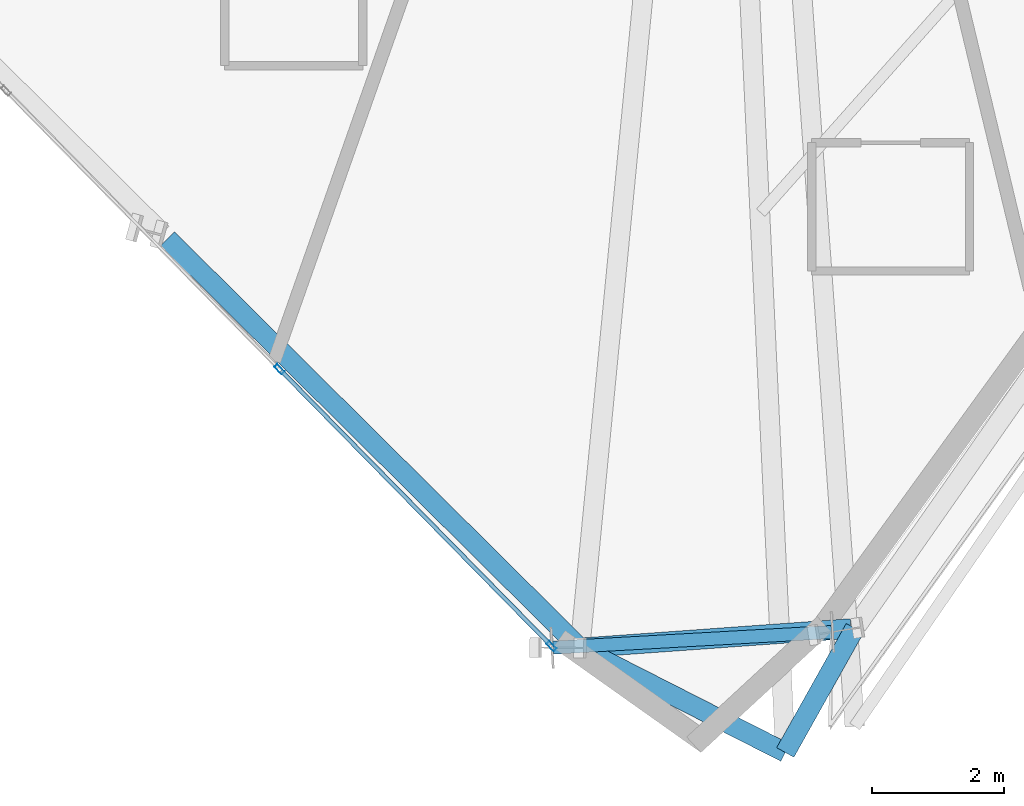
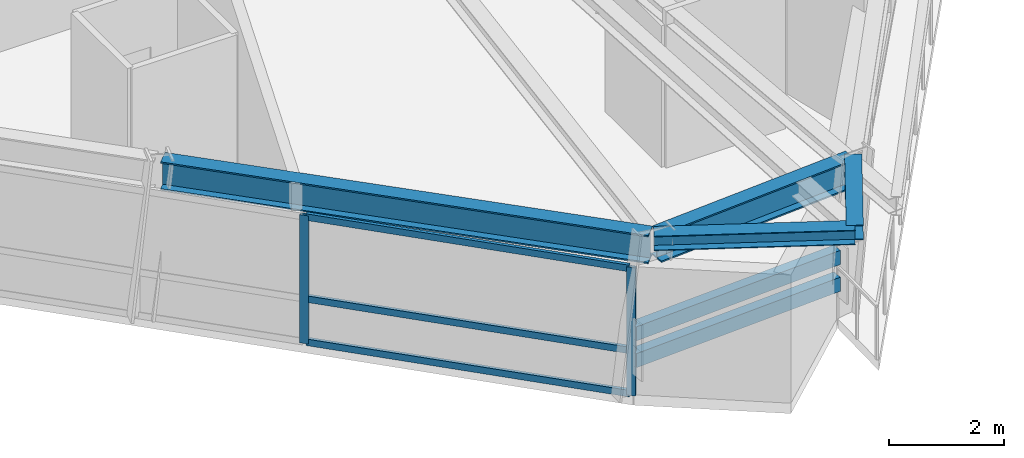
# One storey, part 3 of 14: 7 members, 4 beams, 1 element without a shape of its own.
"""IFC4 building model written with IfcOpenShell, lengths in metres."""

from ifc_helpers import new_model, si_unit, direction, frame, origin, origin_2d, place, context, subcontext, project, spatial, hollow_rectangle, i_section, extrude, source, transform, mapped, material, material_profile, profile_set, type_object, element, aggregate, save


model = new_model("IFC4")

# Units and contexts
model_context = context("Model", 3, precision=1e-05, world=origin(), true_north=direction((0.0, 1.0)))
body_context = subcontext(model_context, "Body", "Model", "MODEL_VIEW")
ifc_project = project(units=[si_unit("LENGTHUNIT", "METRE"), si_unit("AREAUNIT", "SQUARE_METRE"), si_unit("VOLUMEUNIT", "CUBIC_METRE"), si_unit("PLANEANGLEUNIT", "RADIAN"), si_unit("MASSUNIT", "GRAM", prefix="KILO")], contexts=[model_context])

# Site, building, storey
site_placement = place(None, origin())
site = spatial("IfcSite", under=ifc_project, at=site_placement, CompositionType="ELEMENT")
building_placement = place(site_placement, origin())
building = spatial("IfcBuilding", under=site, at=building_placement, Name="Olszyna Solenne Hotel", CompositionType="ELEMENT")
storey_placement = place(building_placement, frame((0.0, 0.0, 185.64990234375)))
storey = spatial("IfcBuildingStorey", under=building, at=storey_placement, Name="L49", CompositionType="ELEMENT", Elevation=185.64990234375)

# Beams
ifc_material_1 = material(Name="Steel S355J2", Category="steel")
ifc_material_profile_1 = material_profile(ifc_material_1, i_section(OverallWidth=0.300048828125, OverallDepth=0.60009765625, WebThickness=0.015380859375, FlangeThickness=0.030029296875, at=origin_2d()), Name="HEB 600", Category="load-bearing")
ifc_profile_set_1 = profile_set([ifc_material_profile_1], Name="Steel S355J2")
beam_type_1 = type_object("IfcBeamType", Name="BM-S2", PredefinedType="BEAM", material=ifc_profile_set_1)
shared_shape_1 = source(origin(), body_context, "Body", "SweptSolid", [
    extrude(i_section(OverallWidth=0.300048828125, OverallDepth=0.60009765625, WebThickness=0.015380859375, FlangeThickness=0.030029296875, at=origin_2d()), origin(), (0.0, 0.0, 1.0), 8.770751953125),
])
beam_1_placement = place(storey_placement, frame((29.386962890625, 8.608154296875, 3.030029296875), z_axis=(0.709898754464, -0.704303740165, 0.0), x_axis=(0.704303740165, 0.709898754464, 0.0)))
element("IfcBeam", 1, at=beam_1_placement, inside=storey, type_object=beam_type_1, Name="Perimeter spandrel beam BM-S2 B-L49-1459", PredefinedType="BEAM", context=body_context, shape_type="MappedRepresentation", body=[
    mapped(shared_shape_1, transform((0.0, 0.0, 0.0), x_axis=(1.0, 0.0, 0.0), y_axis=(0.0, 1.0, 0.0), z_axis=(0.0, 0.0, 1.0), scale=1.0)),
])
shared_shape_2 = source(origin(), body_context, "Body", "SweptSolid", [
    extrude(i_section(OverallWidth=0.300048828125, OverallDepth=0.60009765625, WebThickness=0.015380859375, FlangeThickness=0.030029296875, at=origin_2d()), origin(), (0.0, 0.0, 1.0), 4.06884765625),
])
beam_2_placement = place(storey_placement, frame((35.7158203125, 2.392822265625, 3.030029296875), z_axis=(0.997443142144, 0.07146452399, 0.0), x_axis=(-0.07146452399, 0.997443142144, 0.0)))
element("IfcBeam", 2, at=beam_2_placement, inside=storey, type_object=beam_type_1, Name="Perimeter spandrel beam BM-S2 B-L49-1460", PredefinedType="BEAM", context=body_context, shape_type="MappedRepresentation", body=[
    mapped(shared_shape_2, transform((0.0, 0.0, 0.0), x_axis=(1.0, 0.0, 0.0), y_axis=(0.0, 1.0, 0.0), z_axis=(0.0, 0.0, 1.0), scale=1.0)),
])
ifc_material_profile_2 = material_profile(ifc_material_1, i_section(OverallWidth=0.300048828125, OverallDepth=0.31005859375, WebThickness=0.009033203125, FlangeThickness=0.015380859375, at=origin_2d()), Name="HEA 320", Category="load-bearing")
ifc_profile_set_2 = profile_set([ifc_material_profile_2], Name="Steel S355J2")
beam_type_2 = type_object("IfcBeamType", Name="BM-G3", PredefinedType="BEAM", material=ifc_profile_set_2)
shared_shape_3 = source(origin(), body_context, "Body", "SweptSolid", [
    extrude(i_section(OverallWidth=0.300048828125, OverallDepth=0.31005859375, WebThickness=0.009033203125, FlangeThickness=0.015380859375, at=origin_2d()), origin(), (0.0, 0.0, 1.0), 3.501708984375),
])
beam_3_placement = place(storey_placement, frame((35.656005859375, 2.388427734375, 3.175048828125), z_axis=(0.891211285697, -0.453588408413, 0.0), x_axis=(0.453588408413, 0.891211285697, 0.0)))
element("IfcBeam", 3, at=beam_3_placement, inside=storey, type_object=beam_type_2, Name="Prism side edge beam BM-G3 B-L49-1473", PredefinedType="BEAM", context=body_context, shape_type="MappedRepresentation", body=[
    mapped(shared_shape_3, transform((0.0, 0.0, 0.0), x_axis=(1.0, 0.0, 0.0), y_axis=(0.0, 1.0, 0.0), z_axis=(0.0, 0.0, 1.0), scale=1.0)),
])
shared_shape_4 = source(origin(), body_context, "Body", "SweptSolid", [
    extrude(i_section(OverallWidth=0.300048828125, OverallDepth=0.31005859375, WebThickness=0.009033203125, FlangeThickness=0.015380859375, at=origin_2d()), origin(), (0.0, 0.0, 1.0), 2.163818359375),
])
beam_4_placement = place(storey_placement, frame((39.833984375, 2.68798828125, 3.175048828125), z_axis=(-0.488562138702, -0.872529103599, 0.0), x_axis=(0.872529103599, -0.488562138702, 0.0)))
element("IfcBeam", 4, at=beam_4_placement, inside=storey, type_object=beam_type_2, Name="Prism side edge beam BM-G3 B-L49-1474", PredefinedType="BEAM", context=body_context, shape_type="MappedRepresentation", body=[
    mapped(shared_shape_4, transform((0.0, 0.0, 0.0), x_axis=(1.0, 0.0, 0.0), y_axis=(0.0, 1.0, 0.0), z_axis=(0.0, 0.0, 1.0), scale=1.0)),
])

# Members
ifc_material_profile_3 = material_profile(ifc_material_1, hollow_rectangle(XDim=0.199951171875, YDim=0.300048828125, WallThickness=0.01611328125, at=origin_2d()), Name="RHS 300x200x16", Category="load-bearing")
ifc_profile_set_3 = profile_set([ifc_material_profile_3], Name="Steel S355J2")
member_type_1 = type_object("IfcMemberType", Name="CH-PR1", PredefinedType="CHORD", material=ifc_profile_set_3)
shared_shape_5 = source(origin(), body_context, "Body", "SweptSolid", [
    extrude(hollow_rectangle(XDim=0.199951171875, YDim=0.300048828125, WallThickness=0.01611328125, at=origin_2d()), origin(), (0.0, 0.0, 1.0), 4.239990234375),
])
for number, where, z_axis, x_axis, name in (
    (5, (35.246826171875, 2.393310546875, 1.35009765625), (0.998439019522, 0.055852701784, 0.0), (-0.055852701784, 0.998439019522, 0.0), "Glass-prism tie chord CH-PR1 M-L49-PR1"),
    (6, (35.246826171875, 2.393310546875, 0.780029296875), (0.998439019522, 0.055852701784, 0.0), (-0.055852701784, 0.998439019522, 0.0), "Glass-prism tie chord CH-PR1 M-L49-PR2"),
):
    element("IfcMember", number, at=place(storey_placement, frame(where, z_axis=z_axis, x_axis=x_axis)), inside=storey, type_object=member_type_1, Name=name, PredefinedType="CHORD", context=body_context, shape_type="MappedRepresentation", body=[
        mapped(shared_shape_5, transform((0.0, 0.0, 0.0), x_axis=(1.0, 0.0, 0.0), y_axis=(0.0, 1.0, 0.0), z_axis=(0.0, 0.0, 1.0), scale=1.0)),
    ])

# Curtain wall, members
ifc_material_2 = material(Name="Anodised bronze aluminium", Category="aluminium")
curtain_wall_type = type_object("IfcCurtainWallType", Name="CW-SYS-4", PredefinedType="NOTDEFINED", material=ifc_material_2)
curtain_wall_placement = place(storey_placement, origin())
curtain_wall = element("IfcCurtainWall", 7, at=curtain_wall_placement, inside=storey, type_object=curtain_wall_type, Name="Unitised curtain wall CW-SYS-4 CW-L49-01", PredefinedType="NOTDEFINED")
ifc_material_profile_4 = material_profile(ifc_material_2, hollow_rectangle(XDim=0.06494140625, YDim=0.159912109375, WallThickness=0.00390625, at=origin_2d()), Name="MULL 160x65x4", Category="load-bearing")
ifc_profile_set_4 = profile_set([ifc_material_profile_4], Name="Anodised bronze aluminium")
member_type_2 = type_object("IfcMemberType", Name="CW-M3", PredefinedType="MULLION", material=ifc_profile_set_4)
shared_shape_6 = source(origin(), body_context, "Body", "SweptSolid", [
    extrude(hollow_rectangle(XDim=0.06494140625, YDim=0.159912109375, WallThickness=0.00390625, at=origin_2d()), origin(), (0.0, 0.0, 1.0), 2.72216796875),
])
member_1_placement = place(storey_placement, frame((31.089599609375, 6.62646484375, 0.0), z_axis=(0.0, 0.0, 1.0), x_axis=(0.71346852271, 0.700687281961, 0.0)))
member_1 = element("IfcMember", 8, at=member_1_placement, type_object=member_type_2, Name="Curtain-wall mullion CW-M3 CM-L49-01-03", PredefinedType="MULLION", context=body_context, shape_type="MappedRepresentation", body=[
    mapped(shared_shape_6, transform((0.0, 0.0, 0.0), x_axis=(1.0, 0.0, 0.0), y_axis=(0.0, 1.0, 0.0), z_axis=(0.0, 0.0, 1.0), scale=1.0)),
])
member_2_placement = place(storey_placement, frame((35.22412109375, 2.41650390625, 0.0), z_axis=(0.0, 0.0, 1.0), x_axis=(0.71346852271, 0.700687281961, 0.0)))
member_2 = element("IfcMember", 9, at=member_2_placement, type_object=member_type_2, Name="Curtain-wall mullion CW-M3 CM-L49-01-04", PredefinedType="MULLION", context=body_context, shape_type="MappedRepresentation", body=[
    mapped(shared_shape_6, transform((0.0, 0.0, 0.0), x_axis=(1.0, 0.0, 0.0), y_axis=(0.0, 1.0, 0.0), z_axis=(0.0, 0.0, 1.0), scale=1.0)),
])
ifc_material_profile_5 = material_profile(ifc_material_2, hollow_rectangle(XDim=0.06494140625, YDim=0.139892578125, WallThickness=0.00390625, at=origin_2d()), Name="TRAN 140x65x4", Category="load-bearing")
ifc_profile_set_5 = profile_set([ifc_material_profile_5], Name="Anodised bronze aluminium")
member_type_3 = type_object("IfcMemberType", Name="CW-T2", PredefinedType="USERDEFINED", material=ifc_profile_set_5)
shared_shape_7 = source(origin(), body_context, "Body", "SweptSolid", [
    extrude(hollow_rectangle(XDim=0.06494140625, YDim=0.139892578125, WallThickness=0.00390625, at=origin_2d()), origin(), (0.0, 0.0, 1.0), 5.835693359375),
])
member_3_placement = place(storey_placement, frame((31.1123046875, 6.603271484375, 0.03271484375), z_axis=(0.700698128097, -0.713457870712, 0.0), x_axis=(0.713457870712, 0.700698128097, 0.0)))
member_3 = element("IfcMember", 10, at=member_3_placement, type_object=member_type_3, Name="Curtain-wall transom CW-T2 CT-L49-01-07", ObjectType="TRANSOM", PredefinedType="USERDEFINED", context=body_context, shape_type="MappedRepresentation", body=[
    mapped(shared_shape_7, transform((0.0, 0.0, 0.0), x_axis=(1.0, 0.0, 0.0), y_axis=(0.0, 1.0, 0.0), z_axis=(0.0, 0.0, 1.0), scale=1.0)),
])
member_4_placement = place(storey_placement, frame((31.1123046875, 6.603271484375, 0.9501953125), z_axis=(0.700698128097, -0.713457870712, 0.0), x_axis=(0.713457870712, 0.700698128097, 0.0)))
member_4 = element("IfcMember", 11, at=member_4_placement, type_object=member_type_3, Name="Curtain-wall transom CW-T2 CT-L49-01-08", ObjectType="TRANSOM", PredefinedType="USERDEFINED", context=body_context, shape_type="MappedRepresentation", body=[
    mapped(shared_shape_7, transform((0.0, 0.0, 0.0), x_axis=(1.0, 0.0, 0.0), y_axis=(0.0, 1.0, 0.0), z_axis=(0.0, 0.0, 1.0), scale=1.0)),
])
member_5_placement = place(storey_placement, frame((31.1123046875, 6.603271484375, 2.689697265625), z_axis=(0.700698128097, -0.713457870712, 0.0), x_axis=(0.713457870712, 0.700698128097, 0.0)))
member_5 = element("IfcMember", 12, at=member_5_placement, type_object=member_type_3, Name="Curtain-wall transom CW-T2 CT-L49-01-09", ObjectType="TRANSOM", PredefinedType="USERDEFINED", context=body_context, shape_type="MappedRepresentation", body=[
    mapped(shared_shape_7, transform((0.0, 0.0, 0.0), x_axis=(1.0, 0.0, 0.0), y_axis=(0.0, 1.0, 0.0), z_axis=(0.0, 0.0, 1.0), scale=1.0)),
])
aggregate(curtain_wall, [member_1, member_2, member_3, member_4, member_5])

save(model, "model.ifc")
